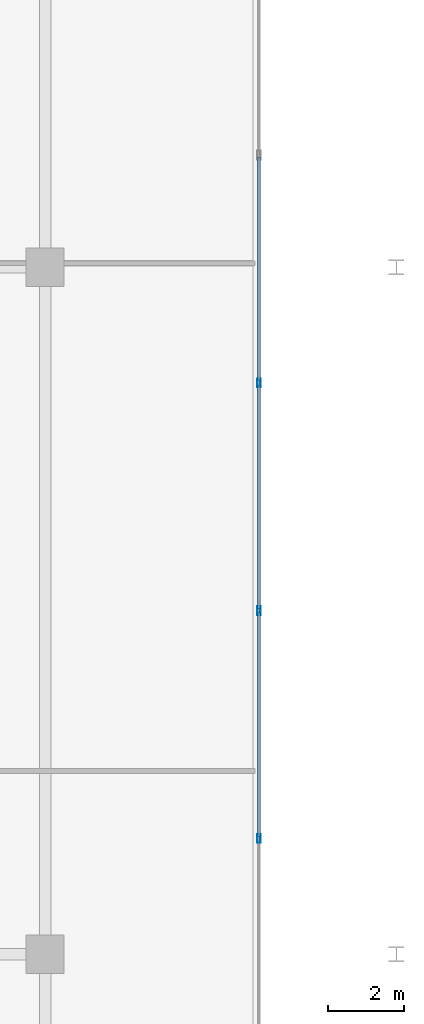
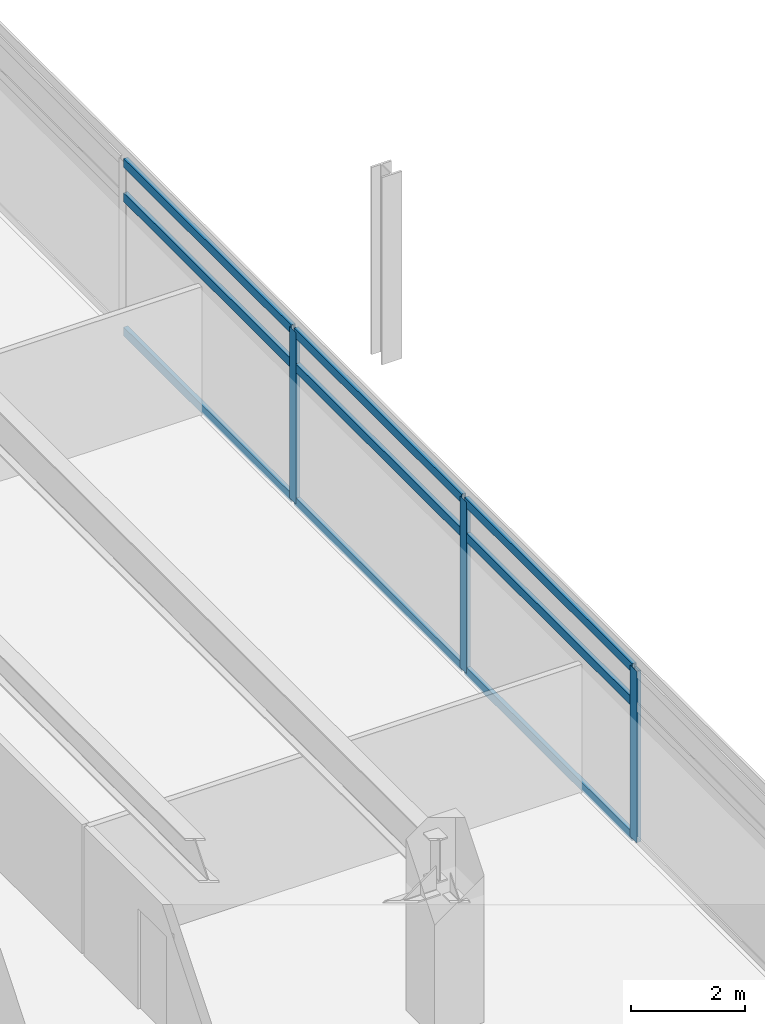
# One storey, part 7 of 18: 12 members, 1 element without a shape of its own.
"""IFC4 building model written with IfcOpenShell, lengths in metres."""

from ifc_helpers import new_model, si_unit, direction, frame, origin, origin_2d, place, context, subcontext, project, spatial, hollow_rectangle, extrude, material, material_profile, profile_set, type_object, element, aggregate, save


model = new_model("IFC4")

# Units and contexts
model_context = context("Model", 3, precision=1e-05, world=origin(), true_north=direction((0.0, 1.0)))
body_context = subcontext(model_context, "Body", "Model", "MODEL_VIEW")
ifc_project = project(units=[si_unit("LENGTHUNIT", "METRE"), si_unit("AREAUNIT", "SQUARE_METRE"), si_unit("VOLUMEUNIT", "CUBIC_METRE"), si_unit("PLANEANGLEUNIT", "RADIAN"), si_unit("MASSUNIT", "GRAM", prefix="KILO")], contexts=[model_context])

# Site, building, storey
site_placement = place(None, origin())
site = spatial("IfcSite", under=ifc_project, at=site_placement, CompositionType="ELEMENT")
building_placement = place(site_placement, origin())
building = spatial("IfcBuilding", under=site, at=building_placement, Name="Kovane Verandah Tower", CompositionType="ELEMENT")
storey_placement = place(building_placement, frame((0.0, 0.0, 338.800048828125)))
storey = spatial("IfcBuildingStorey", under=building, at=storey_placement, Name="L79", CompositionType="ELEMENT", Elevation=338.800048828125)

# Curtain wall, members
ifc_material_1 = material(Name="Champagne Anodised Aluminium Frame with Low-E Clear Laminated Glass", Category="aluminium")
curtain_wall_type = type_object("IfcCurtainWallType", Name="CW-SYS-05-HIGH", PredefinedType="NOTDEFINED", material=ifc_material_1)
curtain_wall_placement = place(storey_placement, origin())
curtain_wall = element("IfcCurtainWall", 1, at=curtain_wall_placement, inside=storey, type_object=curtain_wall_type, Name="L79 E Unitised Curtain Wall", PredefinedType="NOTDEFINED")
ifc_material_2 = material(Name="Champagne Anodised Aluminium 6063-T6", Category="aluminium")
ifc_material_profile_1 = material_profile(ifc_material_2, hollow_rectangle(XDim=0.0849609375, YDim=0.22998046875, WallThickness=0.00390625, at=origin_2d()), Name="AL85x230x4")
ifc_profile_set_1 = profile_set([ifc_material_profile_1], Name="Champagne Anodised Aluminium 6063-T6")
member_type_1 = type_object("IfcMemberType", Name="CW-MUL-85x230", PredefinedType="MULLION", material=ifc_profile_set_1)
member_1_placement = place(storey_placement, frame((64.0, 21.533203125, 0.02001953125), z_axis=(0.0, 0.0, 1.0), x_axis=(1.0, 0.0, 0.0)))
member_1 = element("IfcMember", 2, at=member_1_placement, type_object=member_type_1, Name="L79 E Unitised Curtain Wall Mullion 3", PredefinedType="MULLION", context=body_context, shape_type="SweptSolid", body=[
    extrude(hollow_rectangle(XDim=0.0849609375, YDim=0.22998046875, WallThickness=0.00390625, at=origin_2d()), origin(), (0.0, 0.0, 1.0), 3.659912109375),
])
member_2_placement = place(storey_placement, frame((64.0, 27.5, 0.02001953125), z_axis=(0.0, 0.0, 1.0), x_axis=(1.0, 0.0, 0.0)))
member_2 = element("IfcMember", 3, at=member_2_placement, type_object=member_type_1, Name="L79 E Unitised Curtain Wall Mullion 4", PredefinedType="MULLION", context=body_context, shape_type="SweptSolid", body=[
    extrude(hollow_rectangle(XDim=0.0849609375, YDim=0.22998046875, WallThickness=0.00390625, at=origin_2d()), origin(), (0.0, 0.0, 1.0), 3.659912109375),
])
member_3_placement = place(storey_placement, frame((64.0, 33.466796875, 0.02001953125), z_axis=(0.0, 0.0, 1.0), x_axis=(1.0, 0.0, 0.0)))
member_3 = element("IfcMember", 4, at=member_3_placement, type_object=member_type_1, Name="L79 E Unitised Curtain Wall Mullion 5", PredefinedType="MULLION", context=body_context, shape_type="SweptSolid", body=[
    extrude(hollow_rectangle(XDim=0.0849609375, YDim=0.22998046875, WallThickness=0.00390625, at=origin_2d()), origin(), (0.0, 0.0, 1.0), 3.659912109375),
])
ifc_material_profile_2 = material_profile(ifc_material_2, hollow_rectangle(XDim=0.0849609375, YDim=0.18994140625, WallThickness=0.00390625, at=origin_2d()), Name="AL85x190x4")
ifc_profile_set_2 = profile_set([ifc_material_profile_2], Name="Champagne Anodised Aluminium 6063-T6")
member_type_2 = type_object("IfcMemberType", Name="CW-TRN-85x190", PredefinedType="USERDEFINED", material=ifc_profile_set_2)
member_4_placement = place(storey_placement, frame((64.0, 21.583251953125, 0.050048828125), z_axis=(0.0, 1.0, 0.0), x_axis=(-1.0, 0.0, 0.0)))
member_4 = element("IfcMember", 5, at=member_4_placement, type_object=member_type_2, Name="L79 E Unitised Curtain Wall Transom TB Bay 3", ObjectType="TRANSOM", PredefinedType="USERDEFINED", context=body_context, shape_type="SweptSolid", body=[
    extrude(hollow_rectangle(XDim=0.0849609375, YDim=0.18994140625, WallThickness=0.00390625, at=origin_2d()), origin(), (0.0, 0.0, 1.0), 5.86669921875),
])
member_5_placement = place(storey_placement, frame((64.0, 21.583251953125, 2.919921875), z_axis=(0.0, 1.0, 0.0), x_axis=(-1.0, 0.0, 0.0)))
member_5 = element("IfcMember", 6, at=member_5_placement, type_object=member_type_2, Name="L79 E Unitised Curtain Wall Transom TM Bay 3", ObjectType="TRANSOM", PredefinedType="USERDEFINED", context=body_context, shape_type="SweptSolid", body=[
    extrude(hollow_rectangle(XDim=0.0849609375, YDim=0.18994140625, WallThickness=0.00390625, at=origin_2d()), origin(), (0.0, 0.0, 1.0), 5.86669921875),
])
member_6_placement = place(storey_placement, frame((64.0, 21.583251953125, 3.64990234375), z_axis=(0.0, 1.0, 0.0), x_axis=(-1.0, 0.0, 0.0)))
member_6 = element("IfcMember", 7, at=member_6_placement, type_object=member_type_2, Name="L79 E Unitised Curtain Wall Transom TT Bay 3", ObjectType="TRANSOM", PredefinedType="USERDEFINED", context=body_context, shape_type="SweptSolid", body=[
    extrude(hollow_rectangle(XDim=0.0849609375, YDim=0.18994140625, WallThickness=0.00390625, at=origin_2d()), origin(), (0.0, 0.0, 1.0), 5.86669921875),
])
member_7_placement = place(storey_placement, frame((64.0, 27.550048828125, 0.050048828125), z_axis=(0.0, 1.0, 0.0), x_axis=(-1.0, 0.0, 0.0)))
member_7 = element("IfcMember", 8, at=member_7_placement, type_object=member_type_2, Name="L79 E Unitised Curtain Wall Transom TB Bay 4", ObjectType="TRANSOM", PredefinedType="USERDEFINED", context=body_context, shape_type="SweptSolid", body=[
    extrude(hollow_rectangle(XDim=0.0849609375, YDim=0.18994140625, WallThickness=0.00390625, at=origin_2d()), origin(), (0.0, 0.0, 1.0), 5.86669921875),
])
member_8_placement = place(storey_placement, frame((64.0, 27.550048828125, 2.919921875), z_axis=(0.0, 1.0, 0.0), x_axis=(-1.0, 0.0, 0.0)))
member_8 = element("IfcMember", 9, at=member_8_placement, type_object=member_type_2, Name="L79 E Unitised Curtain Wall Transom TM Bay 4", ObjectType="TRANSOM", PredefinedType="USERDEFINED", context=body_context, shape_type="SweptSolid", body=[
    extrude(hollow_rectangle(XDim=0.0849609375, YDim=0.18994140625, WallThickness=0.00390625, at=origin_2d()), origin(), (0.0, 0.0, 1.0), 5.86669921875),
])
member_9_placement = place(storey_placement, frame((64.0, 27.550048828125, 3.64990234375), z_axis=(0.0, 1.0, 0.0), x_axis=(-1.0, 0.0, 0.0)))
member_9 = element("IfcMember", 10, at=member_9_placement, type_object=member_type_2, Name="L79 E Unitised Curtain Wall Transom TT Bay 4", ObjectType="TRANSOM", PredefinedType="USERDEFINED", context=body_context, shape_type="SweptSolid", body=[
    extrude(hollow_rectangle(XDim=0.0849609375, YDim=0.18994140625, WallThickness=0.00390625, at=origin_2d()), origin(), (0.0, 0.0, 1.0), 5.86669921875),
])
member_10_placement = place(storey_placement, frame((64.0, 33.5166015625, 0.050048828125), z_axis=(0.0, 1.0, 0.0), x_axis=(-1.0, 0.0, 0.0)))
member_10 = element("IfcMember", 11, at=member_10_placement, type_object=member_type_2, Name="L79 E Unitised Curtain Wall Transom TB Bay 5", ObjectType="TRANSOM", PredefinedType="USERDEFINED", context=body_context, shape_type="SweptSolid", body=[
    extrude(hollow_rectangle(XDim=0.0849609375, YDim=0.18994140625, WallThickness=0.00390625, at=origin_2d()), origin(), (0.0, 0.0, 1.0), 5.86669921875),
])
member_11_placement = place(storey_placement, frame((64.0, 33.5166015625, 2.919921875), z_axis=(0.0, 1.0, 0.0), x_axis=(-1.0, 0.0, 0.0)))
member_11 = element("IfcMember", 12, at=member_11_placement, type_object=member_type_2, Name="L79 E Unitised Curtain Wall Transom TM Bay 5", ObjectType="TRANSOM", PredefinedType="USERDEFINED", context=body_context, shape_type="SweptSolid", body=[
    extrude(hollow_rectangle(XDim=0.0849609375, YDim=0.18994140625, WallThickness=0.00390625, at=origin_2d()), origin(), (0.0, 0.0, 1.0), 5.86669921875),
])
member_12_placement = place(storey_placement, frame((64.0, 33.5166015625, 3.64990234375), z_axis=(0.0, 1.0, 0.0), x_axis=(-1.0, 0.0, 0.0)))
member_12 = element("IfcMember", 13, at=member_12_placement, type_object=member_type_2, Name="L79 E Unitised Curtain Wall Transom TT Bay 5", ObjectType="TRANSOM", PredefinedType="USERDEFINED", context=body_context, shape_type="SweptSolid", body=[
    extrude(hollow_rectangle(XDim=0.0849609375, YDim=0.18994140625, WallThickness=0.00390625, at=origin_2d()), origin(), (0.0, 0.0, 1.0), 5.86669921875),
])
aggregate(curtain_wall, [member_1, member_2, member_3, member_4, member_5, member_6, member_7, member_8, member_9, member_10, member_11, member_12])

save(model, "model.ifc")
